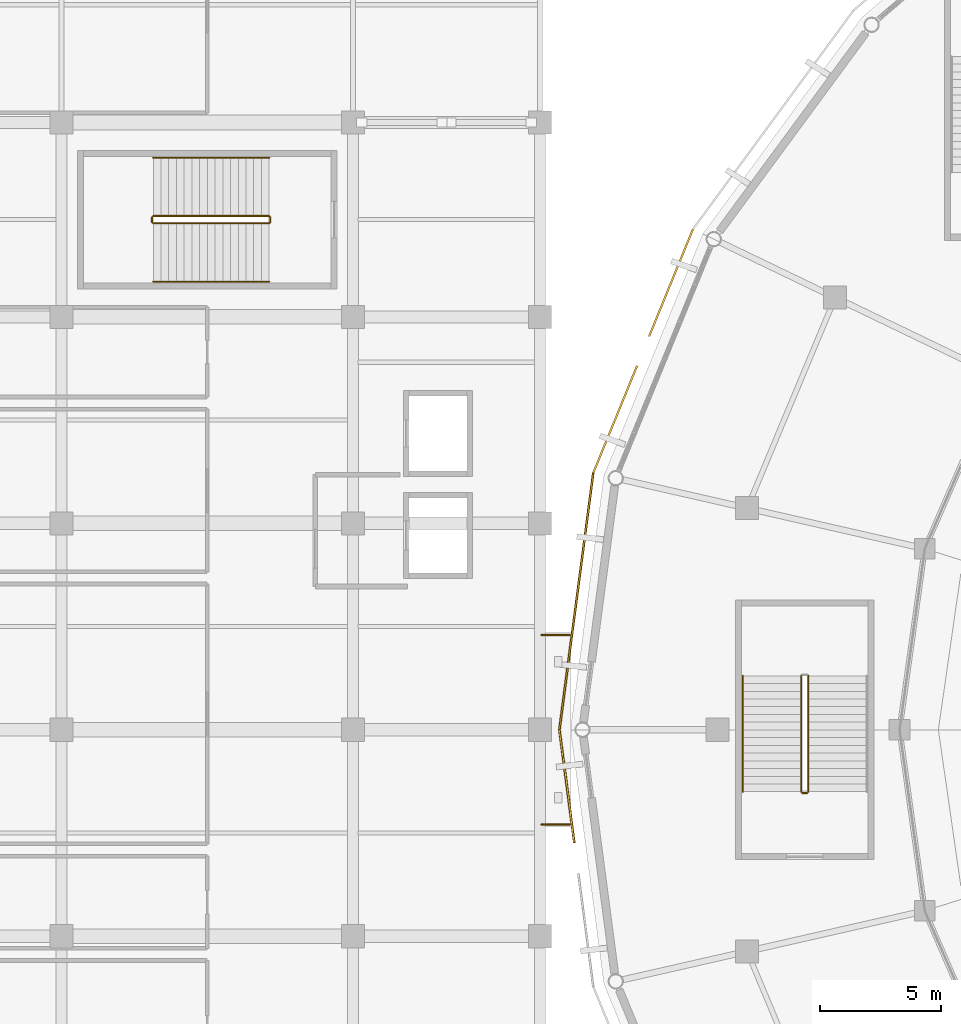
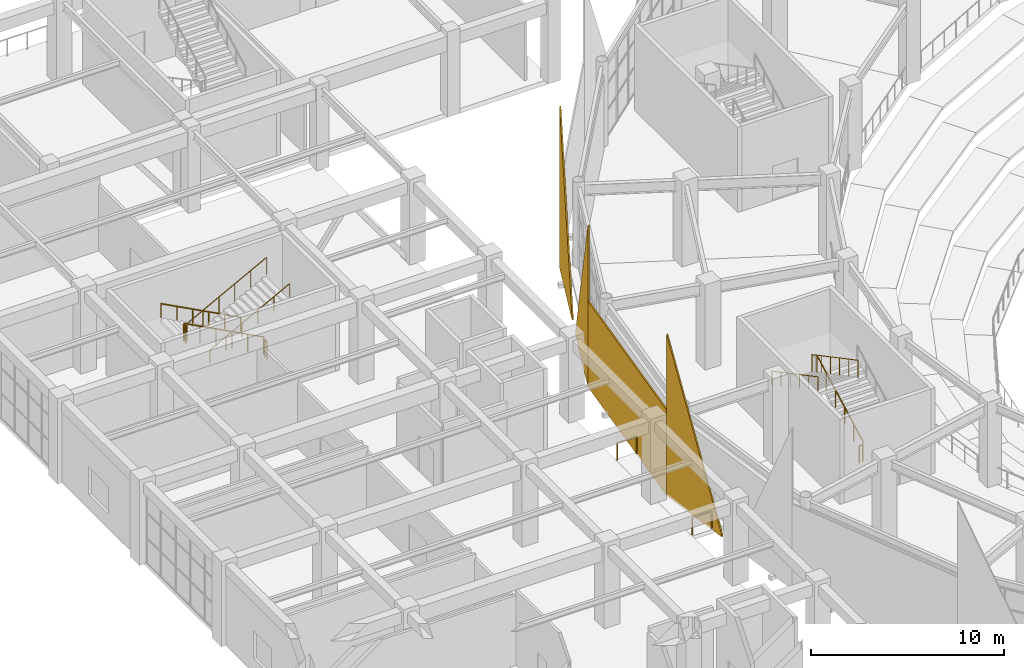
# One storey, part 101 of 120: 12 railings, 4 coverings.
"""IFC4 building model written with IfcOpenShell, lengths in metres."""

from ifc_helpers import new_model, si_unit, direction, frame, frame_2d, origin, origin_2d, place, context, subcontext, project, spatial, polyline, rectangle, circle, outline, extrude, material, layer, layer_set, type_object, element, save


model = new_model("IFC4")

# Units and contexts
model_context = context("Model", 3, precision=1e-05, world=origin(), true_north=direction((0.0, 1.0)))
body_context = subcontext(model_context, "Body", "Model", "MODEL_VIEW")
ifc_project = project(units=[si_unit("LENGTHUNIT", "METRE"), si_unit("AREAUNIT", "SQUARE_METRE"), si_unit("VOLUMEUNIT", "CUBIC_METRE"), si_unit("PLANEANGLEUNIT", "RADIAN"), si_unit("MASSUNIT", "GRAM", prefix="KILO")], contexts=[model_context])

# Site, building, storey
site_placement = place(None, origin())
site = spatial("IfcSite", under=ifc_project, at=site_placement, CompositionType="ELEMENT")
building_placement = place(site_placement, origin())
building = spatial("IfcBuilding", under=site, at=building_placement, Name="Cuetzalor Civic Arena", CompositionType="ELEMENT")
storey_placement = place(building_placement, frame((0.0, 0.0, 6.0)))
storey = spatial("IfcBuildingStorey", under=building, at=storey_placement, Name="L01", CompositionType="ELEMENT", Elevation=6.0)

# Railings
ifc_material_1 = material(Name="Reseda-green architectural Steel S355 balustrade", Category="steel")
railing_type_1 = type_object("IfcRailingType", Name="InteriorVoidBalustrade_1100", PredefinedType="BALUSTRADE", material=ifc_material_1)
railing_1_placement = place(storey_placement, frame((-45.25, -2.550048828125, 0.168701171875)))
element("IfcRailing", 1, at=railing_1_placement, inside=storey, type_object=railing_type_1, Name="L01 ST-05 stair guard 1", PredefinedType="BALUSTRADE", context=body_context, shape_type="SweptSolid", body=[
    extrude(circle(Radius=0.02392578125, at=origin_2d()), frame((0.0, 0.0, 1.0810546875), z_axis=(0.0, 0.883332211103, 0.468747485143), x_axis=(-1.0, 0.0, 0.0)), (0.0, 0.0, 1.0), 5.400146484375),
    extrude(circle(Radius=0.02099609375, at=origin_2d()), origin(), (0.0, 0.0, 1.0), 1.056884765625),
    extrude(circle(Radius=0.02099609375, at=origin_2d()), frame((0.0, 0.9541015625, 0.50634765625)), (0.0, 0.0, 1.0), 1.056884765625),
    extrude(circle(Radius=0.02099609375, at=origin_2d()), frame((0.0, 1.907958984375, 1.012451171875)), (0.0, 0.0, 1.0), 1.056884765625),
    extrude(circle(Radius=0.02099609375, at=origin_2d()), frame((0.0, 2.862060546875, 1.518798828125)), (0.0, 0.0, 1.0), 1.056884765625),
    extrude(circle(Radius=0.02099609375, at=origin_2d()), frame((0.0, 3.81591796875, 2.02490234375)), (0.0, 0.0, 1.0), 1.056884765625),
    extrude(circle(Radius=0.02099609375, at=origin_2d()), frame((0.0, 4.77001953125, 2.53125)), (0.0, 0.0, 1.0), 1.056884765625),
])
railing_2_placement = place(storey_placement, frame((-45.550048828125, 2.219970703125, 2.86865234375)))
element("IfcRailing", 2, at=railing_2_placement, inside=storey, type_object=railing_type_1, Name="L01 ST-05 stair guard 3", PredefinedType="BALUSTRADE", context=body_context, shape_type="SweptSolid", body=[
    extrude(circle(Radius=0.02392578125, at=origin_2d()), frame((0.0, 0.0, 1.0810546875), z_axis=(0.0, -0.883332211103, 0.468747485143), x_axis=(1.0, 0.0, 0.0)), (0.0, 0.0, 1.0), 5.400146484375),
    extrude(circle(Radius=0.02099609375, at=origin_2d()), origin(), (0.0, 0.0, 1.0), 1.056884765625),
    extrude(circle(Radius=0.02099609375, at=origin_2d()), frame((0.0, -0.9541015625, 0.50634765625)), (0.0, 0.0, 1.0), 1.056884765625),
    extrude(circle(Radius=0.02099609375, at=origin_2d()), frame((0.0, -1.907958984375, 1.012451171875)), (0.0, 0.0, 1.0), 1.056884765625),
    extrude(circle(Radius=0.02099609375, at=origin_2d()), frame((0.0, -2.862060546875, 1.518798828125)), (0.0, 0.0, 1.0), 1.056884765625),
    extrude(circle(Radius=0.02099609375, at=origin_2d()), frame((0.0, -3.81591796875, 2.02490234375)), (0.0, 0.0, 1.0), 1.056884765625),
    extrude(circle(Radius=0.02099609375, at=origin_2d()), frame((0.0, -4.77001953125, 2.53125)), (0.0, 0.0, 1.0), 1.056884765625),
])
railing_3_placement = place(storey_placement, frame((-45.300048828125, -2.60009765625, 0.0)))
element("IfcRailing", 3, at=railing_3_placement, inside=storey, type_object=railing_type_1, Name="L01 ST-05 stair guard 4", PredefinedType="BALUSTRADE", context=body_context, shape_type="SweptSolid", body=[
    extrude(circle(Radius=0.02392578125, at=origin_2d()), frame((0.0, 0.0, 1.0810546875), z_axis=(-1.0, 0.0, 0.0), x_axis=(0.0, -1.0, 0.0)), (0.0, 0.0, 1.0), 0.199951171875),
    extrude(circle(Radius=0.02099609375, at=origin_2d()), origin(), (0.0, 0.0, 1.0), 1.056884765625),
    extrude(circle(Radius=0.02099609375, at=origin_2d()), frame((-0.199951171875, 0.0, 0.0)), (0.0, 0.0, 1.0), 1.056884765625),
])
railing_4_placement = place(storey_placement, frame((-67.449951171875, 21.14990234375, 0.168701171875)))
element("IfcRailing", 4, at=railing_4_placement, inside=storey, type_object=railing_type_1, Name="L01 ST-17 stair guard 1", PredefinedType="BALUSTRADE", context=body_context, shape_type="SweptSolid", body=[
    extrude(circle(Radius=0.02392578125, at=origin_2d()), frame((0.0, 0.0, 1.0810546875), z_axis=(-0.883332211103, 0.0, 0.468747485143), x_axis=(0.0, -1.0, 0.0)), (0.0, 0.0, 1.0), 5.400146484375),
    extrude(circle(Radius=0.02099609375, at=origin_2d()), origin(), (0.0, 0.0, 1.0), 1.056884765625),
    extrude(circle(Radius=0.02099609375, at=origin_2d()), frame((-0.9541015625, 0.0, 0.50634765625)), (0.0, 0.0, 1.0), 1.056884765625),
    extrude(circle(Radius=0.02099609375, at=origin_2d()), frame((-1.907958984375, 0.0, 1.012451171875)), (0.0, 0.0, 1.0), 1.056884765625),
    extrude(circle(Radius=0.02099609375, at=origin_2d()), frame((-2.862060546875, 0.0, 1.518798828125)), (0.0, 0.0, 1.0), 1.056884765625),
    extrude(circle(Radius=0.02099609375, at=origin_2d()), frame((-3.81591796875, 0.0, 2.02490234375)), (0.0, 0.0, 1.0), 1.056884765625),
    extrude(circle(Radius=0.02099609375, at=origin_2d()), frame((-4.77001953125, 0.0, 2.53125)), (0.0, 0.0, 1.0), 1.056884765625),
])
railing_5_placement = place(storey_placement, frame((-72.27001953125, 21.10009765625, 2.699951171875)))
element("IfcRailing", 5, at=railing_5_placement, inside=storey, type_object=railing_type_1, Name="L01 ST-17 stair guard 2", PredefinedType="BALUSTRADE", context=body_context, shape_type="SweptSolid", body=[
    extrude(circle(Radius=0.02392578125, at=origin_2d()), frame((0.0, 0.0, 1.0810546875), z_axis=(0.0, -1.0, 0.0), x_axis=(1.0, 0.0, 0.0)), (0.0, 0.0, 1.0), 0.2001953125),
    extrude(circle(Radius=0.02099609375, at=origin_2d()), origin(), (0.0, 0.0, 1.0), 1.056884765625),
    extrude(circle(Radius=0.02099609375, at=origin_2d()), frame((0.0, -0.2001953125, 0.0)), (0.0, 0.0, 1.0), 1.056884765625),
])
railing_6_placement = place(storey_placement, frame((-72.219970703125, 20.85009765625, 2.86865234375)))
element("IfcRailing", 6, at=railing_6_placement, inside=storey, type_object=railing_type_1, Name="L01 ST-17 stair guard 3", PredefinedType="BALUSTRADE", context=body_context, shape_type="SweptSolid", body=[
    extrude(circle(Radius=0.02392578125, at=origin_2d()), frame((0.0, 0.0, 1.0810546875), z_axis=(0.883332211103, 0.0, 0.468747485143), x_axis=(0.0, 1.0, 0.0)), (0.0, 0.0, 1.0), 5.400146484375),
    extrude(circle(Radius=0.02099609375, at=origin_2d()), origin(), (0.0, 0.0, 1.0), 1.056884765625),
    extrude(circle(Radius=0.02099609375, at=origin_2d()), frame((0.9541015625, 0.0, 0.50634765625)), (0.0, 0.0, 1.0), 1.056884765625),
    extrude(circle(Radius=0.02099609375, at=origin_2d()), frame((1.907958984375, 0.0, 1.012451171875)), (0.0, 0.0, 1.0), 1.056884765625),
    extrude(circle(Radius=0.02099609375, at=origin_2d()), frame((2.862060546875, 0.0, 1.518798828125)), (0.0, 0.0, 1.0), 1.056884765625),
    extrude(circle(Radius=0.02099609375, at=origin_2d()), frame((3.81591796875, 0.0, 2.02490234375)), (0.0, 0.0, 1.0), 1.056884765625),
    extrude(circle(Radius=0.02099609375, at=origin_2d()), frame((4.77001953125, 0.0, 2.53125)), (0.0, 0.0, 1.0), 1.056884765625),
])
railing_7_placement = place(storey_placement, frame((-67.39990234375, 21.10009765625, 0.0)))
element("IfcRailing", 7, at=railing_7_placement, inside=storey, type_object=railing_type_1, Name="L01 ST-17 stair guard 4", PredefinedType="BALUSTRADE", context=body_context, shape_type="SweptSolid", body=[
    extrude(circle(Radius=0.02392578125, at=origin_2d()), frame((0.0, 0.0, 1.0810546875), z_axis=(0.0, -1.0, 0.0), x_axis=(1.0, 0.0, 0.0)), (0.0, 0.0, 1.0), 0.2001953125),
    extrude(circle(Radius=0.02099609375, at=origin_2d()), origin(), (0.0, 0.0, 1.0), 1.056884765625),
    extrude(circle(Radius=0.02099609375, at=origin_2d()), frame((0.0, -0.2001953125, 0.0)), (0.0, 0.0, 1.0), 1.056884765625),
])
for number, where, name in (
    (8, (-56.25, -3.89990234375, 0.0), "Seismic Bridge Balustrade V4W L01 S"),
    (9, (-56.25, 3.89990234375, 0.0), "Seismic Bridge Balustrade V4W L01 N"),
):
    element("IfcRailing", number, at=place(storey_placement, frame(where)), inside=storey, type_object=railing_type_1, Name=name, PredefinedType="BALUSTRADE", context=body_context, shape_type="SweptSolid", body=[
        extrude(circle(Radius=0.02392578125, at=origin_2d()), frame((0.0, 0.0, 1.076171875), z_axis=(1.0, 0.0, 0.0), x_axis=(0.0, 1.0, 0.0)), (0.0, 0.0, 1.0), 1.169921875),
        extrude(circle(Radius=0.02099609375, at=origin_2d()), origin(), (0.0, 0.0, 1.0), 1.052001953125),
        extrude(circle(Radius=0.02099609375, at=origin_2d()), frame((1.169921875, 0.0, 0.0)), (0.0, 0.0, 1.0), 1.052001953125),
    ])
ifc_material_2 = material(Name="Galvanised steel S355", Category="steel")
railing_type_2 = type_object("IfcRailingType", Name="StairPitchHandrail_900", PredefinedType="HANDRAIL", material=ifc_material_2)
railing_8_placement = place(storey_placement, frame((-47.949951171875, 2.219970703125, 2.86865234375)))
element("IfcRailing", 10, at=railing_8_placement, inside=storey, type_object=railing_type_2, Name="L01 ST-05 stair handrail 2", PredefinedType="HANDRAIL", context=body_context, shape_type="SweptSolid", body=[
    extrude(circle(Radius=0.02392578125, at=origin_2d()), frame((0.0, 0.0, 0.8759765625), z_axis=(0.0, -0.883332211103, 0.468747485143), x_axis=(1.0, 0.0, 0.0)), (0.0, 0.0, 1.0), 5.400146484375),
    extrude(circle(Radius=0.02099609375, at=origin_2d()), origin(), (0.0, 0.0, 1.0), 0.851806640625),
    extrude(circle(Radius=0.02099609375, at=origin_2d()), frame((0.0, -0.9541015625, 0.50634765625)), (0.0, 0.0, 1.0), 0.851806640625),
    extrude(circle(Radius=0.02099609375, at=origin_2d()), frame((0.0, -1.907958984375, 1.012451171875)), (0.0, 0.0, 1.0), 0.851806640625),
    extrude(circle(Radius=0.02099609375, at=origin_2d()), frame((0.0, -2.862060546875, 1.518798828125)), (0.0, 0.0, 1.0), 0.851806640625),
    extrude(circle(Radius=0.02099609375, at=origin_2d()), frame((0.0, -3.81591796875, 2.02490234375)), (0.0, 0.0, 1.0), 0.851806640625),
    extrude(circle(Radius=0.02099609375, at=origin_2d()), frame((0.0, -4.77001953125, 2.53125)), (0.0, 0.0, 1.0), 0.851806640625),
])
railing_9_placement = place(storey_placement, frame((-67.449951171875, 23.550048828125, 0.168701171875)))
element("IfcRailing", 11, at=railing_9_placement, inside=storey, type_object=railing_type_2, Name="L01 ST-17 stair handrail 1", PredefinedType="HANDRAIL", context=body_context, shape_type="SweptSolid", body=[
    extrude(circle(Radius=0.02392578125, at=origin_2d()), frame((0.0, 0.0, 0.8759765625), z_axis=(-0.883332211103, 0.0, 0.468747485143), x_axis=(0.0, -1.0, 0.0)), (0.0, 0.0, 1.0), 5.400146484375),
    extrude(circle(Radius=0.02099609375, at=origin_2d()), origin(), (0.0, 0.0, 1.0), 0.851806640625),
    extrude(circle(Radius=0.02099609375, at=origin_2d()), frame((-0.9541015625, 0.0, 0.50634765625)), (0.0, 0.0, 1.0), 0.851806640625),
    extrude(circle(Radius=0.02099609375, at=origin_2d()), frame((-1.907958984375, 0.0, 1.012451171875)), (0.0, 0.0, 1.0), 0.851806640625),
    extrude(circle(Radius=0.02099609375, at=origin_2d()), frame((-2.862060546875, 0.0, 1.518798828125)), (0.0, 0.0, 1.0), 0.851806640625),
    extrude(circle(Radius=0.02099609375, at=origin_2d()), frame((-3.81591796875, 0.0, 2.02490234375)), (0.0, 0.0, 1.0), 0.851806640625),
    extrude(circle(Radius=0.02099609375, at=origin_2d()), frame((-4.77001953125, 0.0, 2.53125)), (0.0, 0.0, 1.0), 0.851806640625),
])
railing_10_placement = place(storey_placement, frame((-72.219970703125, 18.449951171875, 2.86865234375)))
element("IfcRailing", 12, at=railing_10_placement, inside=storey, type_object=railing_type_2, Name="L01 ST-17 stair handrail 2", PredefinedType="HANDRAIL", context=body_context, shape_type="SweptSolid", body=[
    extrude(circle(Radius=0.02392578125, at=origin_2d()), frame((0.0, 0.0, 0.8759765625), z_axis=(0.883332211103, 0.0, 0.468747485143), x_axis=(0.0, 1.0, 0.0)), (0.0, 0.0, 1.0), 5.400146484375),
    extrude(circle(Radius=0.02099609375, at=origin_2d()), origin(), (0.0, 0.0, 1.0), 0.851806640625),
    extrude(circle(Radius=0.02099609375, at=origin_2d()), frame((0.9541015625, 0.0, 0.50634765625)), (0.0, 0.0, 1.0), 0.851806640625),
    extrude(circle(Radius=0.02099609375, at=origin_2d()), frame((1.907958984375, 0.0, 1.012451171875)), (0.0, 0.0, 1.0), 0.851806640625),
    extrude(circle(Radius=0.02099609375, at=origin_2d()), frame((2.862060546875, 0.0, 1.518798828125)), (0.0, 0.0, 1.0), 0.851806640625),
    extrude(circle(Radius=0.02099609375, at=origin_2d()), frame((3.81591796875, 0.0, 2.02490234375)), (0.0, 0.0, 1.0), 0.851806640625),
    extrude(circle(Radius=0.02099609375, at=origin_2d()), frame((4.77001953125, 0.0, 2.53125)), (0.0, 0.0, 1.0), 0.851806640625),
])

# Coverings
ifc_material_3 = material(Name="Terracotta-red perforated anodised aluminium panel", Category="masonry")
ifc_layer = layer(ifc_material_3, 0.080078125)
ifc_layer_set = layer_set([ifc_layer], Name="Terracotta-red perforated anodised aluminium panel")
covering_type = type_object("IfcCoveringType", Name="TerracottaPerforatedScreenPanel", PredefinedType="CLADDING", material=ifc_layer_set)
covering_1_placement = place(storey_placement, frame((-54.1083984375, 10.569580078125, -0.14990234375), z_axis=(0.0, 0.0, 1.0), x_axis=(0.378391816968, 0.925645522245, 0.0)))
element("IfcCovering", 13, at=covering_1_placement, inside=storey, type_object=covering_type, Name="Terracotta Perforated Triangle Cheek Left S13", PredefinedType="CLADDING", context=body_context, shape_type="SweptSolid", body=[
    extrude(outline(polyline([(0.0, 0.0), (4.772705078125, 0.0), (4.7724609375, 0.139892578125), (0.0, 10.22998046875), (0.0, 0.0)])), frame((0.0, 0.0400390625, 0.0), z_axis=(0.0, -1.0, 0.0), x_axis=(1.0, 0.0, 0.0)), (0.0, 0.0, 1.0), 0.080078125),
])
covering_2_placement = place(storey_placement, frame((-51.809814453125, 16.19189453125, -0.14990234375), z_axis=(0.0, 0.0, 1.0), x_axis=(0.378391816968, 0.925645522245, 0.0)))
element("IfcCovering", 14, at=covering_2_placement, inside=storey, type_object=covering_type, Name="Terracotta Perforated Triangle Cheek Right S13", PredefinedType="CLADDING", context=body_context, shape_type="SweptSolid", body=[
    extrude(outline(polyline([(0.0, 0.0), (4.772705078125, 0.0), (4.7724609375, 10.22998046875), (0.0, 0.139892578125), (0.0, 0.0)])), frame((0.0, 0.0400390625, 0.0), z_axis=(0.0, -1.0, 0.0), x_axis=(1.0, 0.0, 0.0)), (0.0, 0.0, 1.0), 0.080078125),
])
covering_3_placement = place(storey_placement, frame((-55.5, 0.0, -0.14990234375), z_axis=(0.0, 0.0, 1.0), x_axis=(0.130534485624, 0.991443769491, 0.0)))
element("IfcCovering", 15, at=covering_3_placement, inside=storey, type_object=covering_type, Name="Terracotta Perforated Drum Screen L01-S14", PredefinedType="CLADDING", context=body_context, shape_type="SweptSolid", body=[
    extrude(rectangle(XDim=10.660888671875, YDim=0.080078125, at=frame_2d((5.33056640625, 0.0))), origin(), (0.0, 0.0, 1.0), 5.429931640625),
])
covering_4_placement = place(storey_placement, frame((-54.8876953125, -4.650634765625, -0.14990234375), z_axis=(0.0, 0.0, 1.0), x_axis=(-0.130533946759, 0.991443840438, 0.0)))
element("IfcCovering", 16, at=covering_4_placement, inside=storey, type_object=covering_type, Name="Terracotta Perforated Triangle Cheek Right S15", PredefinedType="CLADDING", context=body_context, shape_type="SweptSolid", body=[
    extrude(outline(polyline([(0.0, 0.0), (4.690673828125, 0.0), (4.69091796875, 10.22998046875), (0.0, 0.139892578125), (0.0, 0.0)])), frame((0.0, 0.0400390625, 0.0), z_axis=(0.0, -1.0, 0.0), x_axis=(1.0, 0.0, 0.0)), (0.0, 0.0, 1.0), 0.080078125),
])

save(model, "model.ifc")
